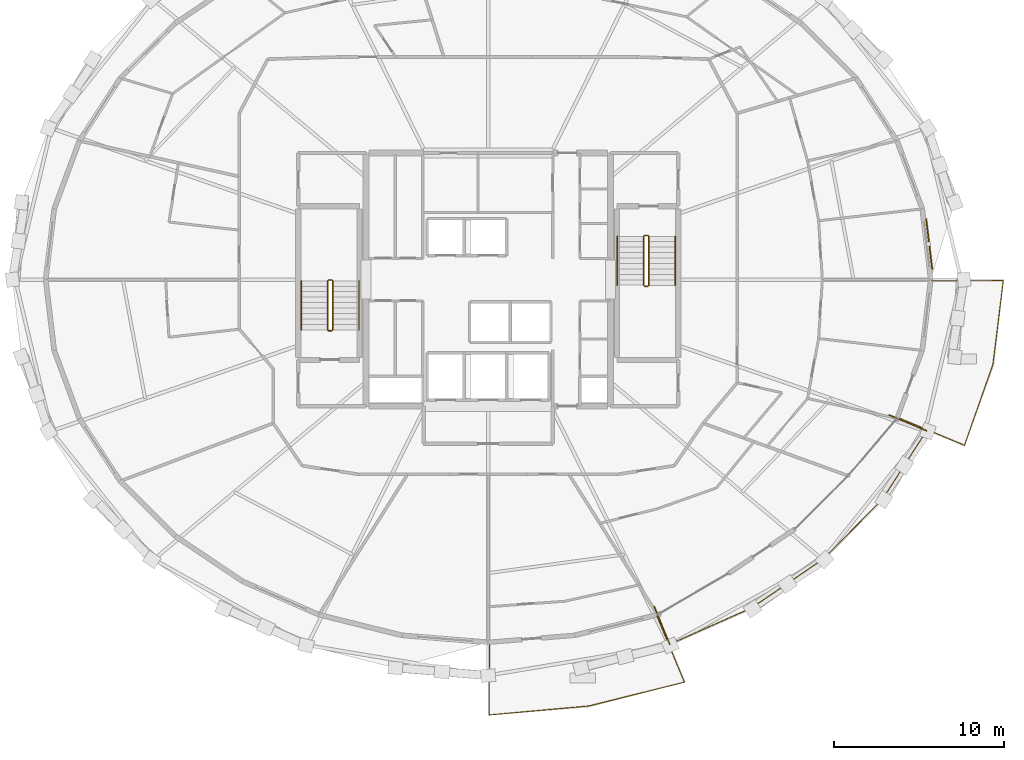
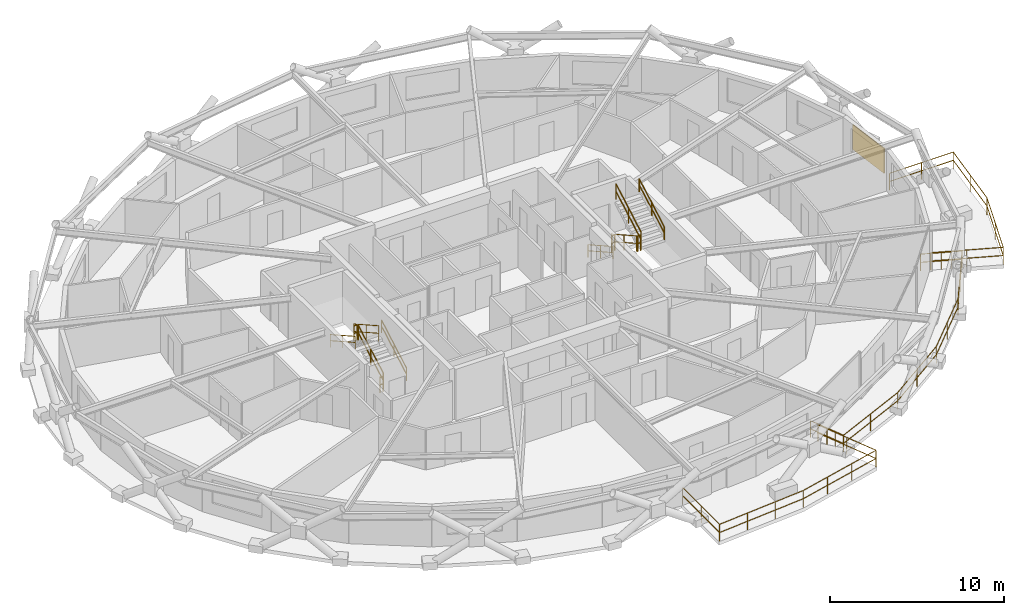
# One storey, part 16 of 16: 17 railings, 1 shading device.
"""IFC4 building model written with IfcOpenShell, lengths in metres."""

from ifc_helpers import new_model, si_unit, direction, frame, origin, origin_2d, place, context, subcontext, project, spatial, rectangle, circle, extrude, material, layer, layer_set, type_object, element, save


model = new_model("IFC4")

# Units and contexts
model_context = context("Model", 3, precision=1e-05, world=origin(), true_north=direction((0.0, 1.0)))
body_context = subcontext(model_context, "Body", "Model", "MODEL_VIEW")
ifc_project = project(units=[si_unit("LENGTHUNIT", "METRE"), si_unit("AREAUNIT", "SQUARE_METRE"), si_unit("VOLUMEUNIT", "CUBIC_METRE"), si_unit("PLANEANGLEUNIT", "RADIAN"), si_unit("MASSUNIT", "GRAM", prefix="KILO")], contexts=[model_context])

# Site, building, storey
site_placement = place(None, origin())
site = spatial("IfcSite", under=ifc_project, at=site_placement, CompositionType="ELEMENT")
building_placement = place(site_placement, origin())
building = spatial("IfcBuilding", under=site, at=building_placement, Name="Veldorina Hangang Commons", CompositionType="ELEMENT")
storey_placement = place(building_placement, frame((0.0, 0.0, 174.800048828125)))
storey = spatial("IfcBuildingStorey", under=building, at=storey_placement, Name="L45", CompositionType="ELEMENT", Elevation=174.800048828125)

# Railings
ifc_material_1 = material(Name="Glass Laminated Safety Balustrade", Category="glass")
railing_type_1 = type_object("IfcRailingType", Name="RL-BAL-LOGGIA", PredefinedType="BALUSTRADE", material=ifc_material_1)
railing_1_placement = place(storey_placement, frame((41.768798828125, 4.76611328125, 0.0)))
element("IfcRailing", 1, at=railing_1_placement, inside=storey, type_object=railing_type_1, Name="L45 sky-garden loggia end balustrade A", PredefinedType="BALUSTRADE", context=body_context, shape_type="SweptSolid", body=[
    extrude(circle(Radius=0.02392578125, at=origin_2d()), frame((0.0, 0.0, 1.17578125), z_axis=(0.379373307579, -0.925243694114, 0.0), x_axis=(0.925243694114, 0.379373307579, 0.0)), (0.0, 0.0, 1.0), 2.400390625),
    extrude(circle(Radius=0.02392578125, at=origin_2d()), frame((0.0, 0.0, 0.60009765625), z_axis=(0.379373307579, -0.925243694114, 0.0), x_axis=(0.925243694114, 0.379373307579, 0.0)), (0.0, 0.0, 1.0), 2.400390625),
    extrude(circle(Radius=0.02099609375, at=origin_2d()), origin(), (0.0, 0.0, 1.0), 1.15185546875),
    extrude(circle(Radius=0.02099609375, at=origin_2d()), frame((0.2275390625, -0.55517578125, 0.0)), (0.0, 0.0, 1.0), 1.15185546875),
    extrude(circle(Radius=0.02099609375, at=origin_2d()), frame((0.455322265625, -1.1103515625, 0.0)), (0.0, 0.0, 1.0), 1.15185546875),
    extrude(circle(Radius=0.02099609375, at=origin_2d()), frame((0.68310546875, -1.665771484375, 0.0)), (0.0, 0.0, 1.0), 1.15185546875),
    extrude(circle(Radius=0.02099609375, at=origin_2d()), frame((0.91064453125, -2.220947265625, 0.0)), (0.0, 0.0, 1.0), 1.15185546875),
])
railing_2_placement = place(storey_placement, frame((55.578369140625, 16.034912109375, 0.0)))
element("IfcRailing", 2, at=railing_2_placement, inside=storey, type_object=railing_type_1, Name="L45 sky-garden loggia end balustrade B", PredefinedType="BALUSTRADE", context=body_context, shape_type="SweptSolid", body=[
    extrude(circle(Radius=0.02392578125, at=origin_2d()), frame((0.0, 0.0, 1.17578125), z_axis=(0.922700298865, -0.385518039103, 0.0), x_axis=(0.385518039103, 0.922700298865, 0.0)), (0.0, 0.0, 1.0), 2.400146484375),
    extrude(circle(Radius=0.02392578125, at=origin_2d()), frame((0.0, 0.0, 0.60009765625), z_axis=(0.922700298865, -0.385518039103, 0.0), x_axis=(0.385518039103, 0.922700298865, 0.0)), (0.0, 0.0, 1.0), 2.400146484375),
    extrude(circle(Radius=0.02099609375, at=origin_2d()), origin(), (0.0, 0.0, 1.0), 1.15185546875),
    extrude(circle(Radius=0.02099609375, at=origin_2d()), frame((0.5537109375, -0.2314453125, 0.0)), (0.0, 0.0, 1.0), 1.15185546875),
    extrude(circle(Radius=0.02099609375, at=origin_2d()), frame((1.107421875, -0.462646484375, 0.0)), (0.0, 0.0, 1.0), 1.15185546875),
    extrude(circle(Radius=0.02099609375, at=origin_2d()), frame((1.660888671875, -0.69384765625, 0.0)), (0.0, 0.0, 1.0), 1.15185546875),
    extrude(circle(Radius=0.02099609375, at=origin_2d()), frame((2.214599609375, -0.92529296875, 0.0)), (0.0, 0.0, 1.0), 1.15185546875),
])
railing_3_placement = place(storey_placement, frame((42.679443359375, 2.545166015625, 0.0)))
element("IfcRailing", 3, at=railing_3_placement, inside=storey, type_object=railing_type_1, Name="L45 sky-garden loggia outer balustrade", PredefinedType="BALUSTRADE", context=body_context, shape_type="SweptSolid", body=[
    extrude(circle(Radius=0.02392578125, at=origin_2d()), frame((0.0, 0.0, 1.17578125), z_axis=(0.913883974047, 0.405975469679, 0.0), x_axis=(-0.405975469679, 0.913883974047, 0.0)), (0.0, 0.0, 1.0), 5.28125),
    extrude(circle(Radius=0.02392578125, at=origin_2d()), frame((0.0, 0.0, 0.60009765625), z_axis=(0.913883974047, 0.405975469679, 0.0), x_axis=(-0.405975469679, 0.913883974047, 0.0)), (0.0, 0.0, 1.0), 5.28125),
    extrude(circle(Radius=0.02392578125, at=origin_2d()), frame((4.826416015625, 2.14404296875, 1.17578125), z_axis=(0.826115399469, 0.563500973168, 0.0), x_axis=(-0.563500973168, 0.826115399469, 0.0)), (0.0, 0.0, 1.0), 5.122314453125),
    extrude(circle(Radius=0.02392578125, at=origin_2d()), frame((4.826416015625, 2.14404296875, 0.60009765625), z_axis=(0.826115399469, 0.563500973168, 0.0), x_axis=(-0.563500973168, 0.826115399469, 0.0)), (0.0, 0.0, 1.0), 5.122314453125),
    extrude(circle(Radius=0.02392578125, at=origin_2d()), frame((9.05810546875, 5.030517578125, 1.17578125), z_axis=(0.702574104972, 0.711610586643, 0.0), x_axis=(-0.711610586643, 0.702574104972, 0.0)), (0.0, 0.0, 1.0), 4.944091796875),
    extrude(circle(Radius=0.02392578125, at=origin_2d()), frame((9.05810546875, 5.030517578125, 0.60009765625), z_axis=(0.702574104972, 0.711610586643, 0.0), x_axis=(-0.711610586643, 0.702574104972, 0.0)), (0.0, 0.0, 1.0), 4.944091796875),
    extrude(circle(Radius=0.02392578125, at=origin_2d()), frame((12.53173828125, 8.548828125, 1.17578125), z_axis=(0.540804114844, 0.841148565575, 0.0), x_axis=(-0.841148565575, 0.540804114844, 0.0)), (0.0, 0.0, 1.0), 4.77392578125),
    extrude(circle(Radius=0.02392578125, at=origin_2d()), frame((12.53173828125, 8.548828125, 0.60009765625), z_axis=(0.540804114844, 0.841148565575, 0.0), x_axis=(-0.841148565575, 0.540804114844, 0.0)), (0.0, 0.0, 1.0), 4.77392578125),
    extrude(circle(Radius=0.02099609375, at=origin_2d()), origin(), (0.0, 0.0, 1.0), 1.15185546875),
    extrude(circle(Radius=0.02099609375, at=origin_2d()), frame((2.4130859375, 1.072021484375, 0.0)), (0.0, 0.0, 1.0), 1.15185546875),
    extrude(circle(Radius=0.02099609375, at=origin_2d()), frame((4.826416015625, 2.14404296875, 0.0)), (0.0, 0.0, 1.0), 1.15185546875),
    extrude(circle(Radius=0.02099609375, at=origin_2d()), frame((6.9423828125, 3.58740234375, 0.0)), (0.0, 0.0, 1.0), 1.15185546875),
    extrude(circle(Radius=0.02099609375, at=origin_2d()), frame((9.05810546875, 5.030517578125, 0.0)), (0.0, 0.0, 1.0), 1.15185546875),
    extrude(circle(Radius=0.02099609375, at=origin_2d()), frame((10.794921875, 6.78955078125, 0.0)), (0.0, 0.0, 1.0), 1.15185546875),
    extrude(circle(Radius=0.02099609375, at=origin_2d()), frame((12.53173828125, 8.548828125, 0.0)), (0.0, 0.0, 1.0), 1.15185546875),
    extrude(circle(Radius=0.02099609375, at=origin_2d()), frame((13.82275390625, 10.556640625, 0.0)), (0.0, 0.0, 1.0), 1.15185546875),
    extrude(circle(Radius=0.02099609375, at=origin_2d()), frame((15.113525390625, 12.564453125, 0.0)), (0.0, 0.0, 1.0), 1.15185546875),
])
railing_4_placement = place(storey_placement, frame((32.06787109375, 2.62255859375, 0.0)))
element("IfcRailing", 4, at=railing_4_placement, inside=storey, type_object=railing_type_1, Name="L45 planted tree balcony 1 balustrade", PredefinedType="BALUSTRADE", context=body_context, shape_type="SweptSolid", body=[
    extrude(circle(Radius=0.02392578125, at=origin_2d()), frame((0.0, 0.0, 1.17578125), z_axis=(-0.001439593118, -0.999998963785, 0.0), x_axis=(0.999998963785, -0.001439593118, 0.0)), (0.0, 0.0, 1.0), 4.23974609375),
    extrude(circle(Radius=0.02392578125, at=origin_2d()), frame((0.0, 0.0, 0.60009765625), z_axis=(-0.001439593118, -0.999998963785, 0.0), x_axis=(0.999998963785, -0.001439593118, 0.0)), (0.0, 0.0, 1.0), 4.23974609375),
    extrude(circle(Radius=0.02392578125, at=origin_2d()), frame((-0.006103515625, -4.23974609375, 1.17578125), z_axis=(0.995932663366, 0.090100666145, 0.0), x_axis=(-0.090100666145, 0.995932663366, 0.0)), (0.0, 0.0, 1.0), 5.869140625),
    extrude(circle(Radius=0.02392578125, at=origin_2d()), frame((-0.006103515625, -4.23974609375, 0.60009765625), z_axis=(0.995932663366, 0.090100666145, 0.0), x_axis=(-0.090100666145, 0.995932663366, 0.0)), (0.0, 0.0, 1.0), 5.869140625),
    extrude(circle(Radius=0.02392578125, at=origin_2d()), frame((5.839111328125, -3.7109375, 1.17578125), z_axis=(0.97047283334, 0.241210447015, 0.0), x_axis=(-0.241210447015, 0.97047283334, 0.0)), (0.0, 0.0, 1.0), 5.809814453125),
    extrude(circle(Radius=0.02392578125, at=origin_2d()), frame((5.839111328125, -3.7109375, 0.60009765625), z_axis=(0.97047283334, 0.241210447015, 0.0), x_axis=(-0.241210447015, 0.97047283334, 0.0)), (0.0, 0.0, 1.0), 5.809814453125),
    extrude(circle(Radius=0.02392578125, at=origin_2d()), frame((11.477294921875, -2.3095703125, 1.17578125), z_axis=(-0.384615384615, 0.923076923077, 0.0), x_axis=(-0.923076923077, -0.384615384615, 0.0)), (0.0, 0.0, 1.0), 4.240234375),
    extrude(circle(Radius=0.02392578125, at=origin_2d()), frame((11.477294921875, -2.3095703125, 0.60009765625), z_axis=(-0.384615384615, 0.923076923077, 0.0), x_axis=(-0.923076923077, -0.384615384615, 0.0)), (0.0, 0.0, 1.0), 4.240234375),
    extrude(circle(Radius=0.02099609375, at=origin_2d()), origin(), (0.0, 0.0, 1.0), 1.15185546875),
    extrude(circle(Radius=0.02099609375, at=origin_2d()), frame((-0.0029296875, -2.119873046875, 0.0)), (0.0, 0.0, 1.0), 1.15185546875),
    extrude(circle(Radius=0.02099609375, at=origin_2d()), frame((-0.006103515625, -4.23974609375, 0.0)), (0.0, 0.0, 1.0), 1.15185546875),
    extrude(circle(Radius=0.02099609375, at=origin_2d()), frame((1.9423828125, -4.0634765625, 0.0)), (0.0, 0.0, 1.0), 1.15185546875),
    extrude(circle(Radius=0.02099609375, at=origin_2d()), frame((3.890625, -3.88720703125, 0.0)), (0.0, 0.0, 1.0), 1.15185546875),
    extrude(circle(Radius=0.02099609375, at=origin_2d()), frame((5.839111328125, -3.7109375, 0.0)), (0.0, 0.0, 1.0), 1.15185546875),
    extrude(circle(Radius=0.02099609375, at=origin_2d()), frame((7.718505859375, -3.243896484375, 0.0)), (0.0, 0.0, 1.0), 1.15185546875),
    extrude(circle(Radius=0.02099609375, at=origin_2d()), frame((9.597900390625, -2.776611328125, 0.0)), (0.0, 0.0, 1.0), 1.15185546875),
    extrude(circle(Radius=0.02099609375, at=origin_2d()), frame((11.477294921875, -2.3095703125, 0.0)), (0.0, 0.0, 1.0), 1.15185546875),
    extrude(circle(Radius=0.02099609375, at=origin_2d()), frame((10.661865234375, -0.3525390625, 0.0)), (0.0, 0.0, 1.0), 1.15185546875),
    extrude(circle(Radius=0.02099609375, at=origin_2d()), frame((9.846435546875, 1.6044921875, 0.0)), (0.0, 0.0, 1.0), 1.15185546875),
])
railing_5_placement = place(storey_placement, frame((56.122802734375, 15.87841796875, 0.0)))
element("IfcRailing", 5, at=railing_5_placement, inside=storey, type_object=railing_type_1, Name="L45 planted tree balcony 2 balustrade", PredefinedType="BALUSTRADE", context=body_context, shape_type="SweptSolid", body=[
    extrude(circle(Radius=0.02392578125, at=origin_2d()), frame((0.0, 0.0, 1.17578125), z_axis=(0.923329347093, -0.384009006139, 0.0), x_axis=(0.384009006139, 0.923329347093, 0.0)), (0.0, 0.0, 1.0), 4.231689453125),
    extrude(circle(Radius=0.02392578125, at=origin_2d()), frame((0.0, 0.0, 0.60009765625), z_axis=(0.923329347093, -0.384009006139, 0.0), x_axis=(0.384009006139, 0.923329347093, 0.0)), (0.0, 0.0, 1.0), 4.231689453125),
    extrude(circle(Radius=0.02392578125, at=origin_2d()), frame((3.9072265625, -1.625, 1.17578125), z_axis=(0.330954531227, 0.943646702034, 0.0), x_axis=(-0.943646702034, 0.330954531227, 0.0)), (0.0, 0.0, 1.0), 5.039794921875),
    extrude(circle(Radius=0.02392578125, at=origin_2d()), frame((3.9072265625, -1.625, 0.60009765625), z_axis=(0.330954531227, 0.943646702034, 0.0), x_axis=(-0.943646702034, 0.330954531227, 0.0)), (0.0, 0.0, 1.0), 5.039794921875),
    extrude(circle(Radius=0.02392578125, at=origin_2d()), frame((5.5751953125, 3.130859375, 1.17578125), z_axis=(0.123333460158, 0.992365284361, 0.0), x_axis=(-0.992365284361, 0.123333460158, 0.0)), (0.0, 0.0, 1.0), 4.970458984375),
    extrude(circle(Radius=0.02392578125, at=origin_2d()), frame((5.5751953125, 3.130859375, 0.60009765625), z_axis=(0.123333460158, 0.992365284361, 0.0), x_axis=(-0.992365284361, 0.123333460158, 0.0)), (0.0, 0.0, 1.0), 4.970458984375),
    extrude(circle(Radius=0.02392578125, at=origin_2d()), frame((6.188232421875, 8.0634765625, 1.17578125), z_axis=(-0.999997597641, -0.0021919652, 0.0), x_axis=(0.0021919652, -0.999997597641, 0.0)), (0.0, 0.0, 1.0), 4.232421875),
    extrude(circle(Radius=0.02392578125, at=origin_2d()), frame((6.188232421875, 8.0634765625, 0.60009765625), z_axis=(-0.999997597641, -0.0021919652, 0.0), x_axis=(0.0021919652, -0.999997597641, 0.0)), (0.0, 0.0, 1.0), 4.232421875),
    extrude(circle(Radius=0.02099609375, at=origin_2d()), origin(), (0.0, 0.0, 1.0), 1.15185546875),
    extrude(circle(Radius=0.02099609375, at=origin_2d()), frame((1.95361328125, -0.8125, 0.0)), (0.0, 0.0, 1.0), 1.15185546875),
    extrude(circle(Radius=0.02099609375, at=origin_2d()), frame((3.9072265625, -1.625, 0.0)), (0.0, 0.0, 1.0), 1.15185546875),
    extrude(circle(Radius=0.02099609375, at=origin_2d()), frame((4.7412109375, 0.7529296875, 0.0)), (0.0, 0.0, 1.0), 1.15185546875),
    extrude(circle(Radius=0.02099609375, at=origin_2d()), frame((5.5751953125, 3.130859375, 0.0)), (0.0, 0.0, 1.0), 1.15185546875),
    extrude(circle(Radius=0.02099609375, at=origin_2d()), frame((5.8818359375, 5.59716796875, 0.0)), (0.0, 0.0, 1.0), 1.15185546875),
    extrude(circle(Radius=0.02099609375, at=origin_2d()), frame((6.188232421875, 8.0634765625, 0.0)), (0.0, 0.0, 1.0), 1.15185546875),
    extrude(circle(Radius=0.02099609375, at=origin_2d()), frame((4.072021484375, 8.058837890625, 0.0)), (0.0, 0.0, 1.0), 1.15185546875),
    extrude(circle(Radius=0.02099609375, at=origin_2d()), frame((1.955810546875, 8.05419921875, 0.0)), (0.0, 0.0, 1.0), 1.15185546875),
])
ifc_material_2 = material(Name="Steel Painted Balustrade", Category="steel")
railing_type_2 = type_object("IfcRailingType", Name="RL-GRD-STAIR", PredefinedType="GUARDRAIL", material=ifc_material_2)
railing_6_placement = place(storey_placement, frame((22.85009765625, 21.050048828125, 0.179931640625)))
element("IfcRailing", 6, at=railing_6_placement, inside=storey, type_object=railing_type_2, Name="L45 ST-1 stair guard 1", PredefinedType="GUARDRAIL", context=body_context, shape_type="SweptSolid", body=[
    extrude(circle(Radius=0.02392578125, at=origin_2d()), frame((0.0, 0.0, 1.076171875), z_axis=(0.0, 0.87155185771, 0.490303333991), x_axis=(-1.0, 0.0, 0.0)), (0.0, 0.0, 1.0), 3.30419921875),
    extrude(circle(Radius=0.02392578125, at=origin_2d()), frame((0.0, 0.0, 0.550048828125), z_axis=(0.0, 0.87155185771, 0.490303333991), x_axis=(-1.0, 0.0, 0.0)), (0.0, 0.0, 1.0), 3.30419921875),
    extrude(circle(Radius=0.02099609375, at=origin_2d()), origin(), (0.0, 0.0, 1.0), 1.052001953125),
    extrude(circle(Radius=0.02099609375, at=origin_2d()), frame((0.0, 1.43994140625, 0.81005859375)), (0.0, 0.0, 1.0), 1.052001953125),
    extrude(circle(Radius=0.02099609375, at=origin_2d()), frame((0.0, 2.8798828125, 1.6201171875)), (0.0, 0.0, 1.0), 1.052001953125),
])
railing_7_placement = place(storey_placement, frame((22.800048828125, 23.97998046875, 1.800048828125)))
element("IfcRailing", 7, at=railing_7_placement, inside=storey, type_object=railing_type_2, Name="L45 ST-1 stair guard 2", PredefinedType="GUARDRAIL", context=body_context, shape_type="SweptSolid", body=[
    extrude(circle(Radius=0.02392578125, at=origin_2d()), frame((0.0, 0.0, 1.076171875), z_axis=(-1.0, 0.0, 0.0), x_axis=(0.0, -1.0, 0.0)), (0.0, 0.0, 1.0), 0.199951171875),
    extrude(circle(Radius=0.02392578125, at=origin_2d()), frame((0.0, 0.0, 0.550048828125), z_axis=(-1.0, 0.0, 0.0), x_axis=(0.0, -1.0, 0.0)), (0.0, 0.0, 1.0), 0.199951171875),
    extrude(circle(Radius=0.02099609375, at=origin_2d()), origin(), (0.0, 0.0, 1.0), 1.052001953125),
    extrude(circle(Radius=0.02099609375, at=origin_2d()), frame((-0.199951171875, 0.0, 0.0)), (0.0, 0.0, 1.0), 1.052001953125),
])
railing_8_placement = place(storey_placement, frame((22.550048828125, 23.929931640625, 1.97998046875)))
element("IfcRailing", 8, at=railing_8_placement, inside=storey, type_object=railing_type_2, Name="L45 ST-1 stair guard 3", PredefinedType="GUARDRAIL", context=body_context, shape_type="SweptSolid", body=[
    extrude(circle(Radius=0.02392578125, at=origin_2d()), frame((0.0, 0.0, 1.076171875), z_axis=(0.0, -0.871583430097, 0.490247207417), x_axis=(1.0, 0.0, 0.0)), (0.0, 0.0, 1.0), 3.30419921875),
    extrude(circle(Radius=0.02392578125, at=origin_2d()), frame((0.0, 0.0, 0.550048828125), z_axis=(0.0, -0.871583430097, 0.490247207417), x_axis=(1.0, 0.0, 0.0)), (0.0, 0.0, 1.0), 3.30419921875),
    extrude(circle(Radius=0.02099609375, at=origin_2d()), origin(), (0.0, 0.0, 1.0), 1.052001953125),
    extrude(circle(Radius=0.02099609375, at=origin_2d()), frame((0.0, -1.43994140625, 0.81005859375)), (0.0, 0.0, 1.0), 1.052001953125),
    extrude(circle(Radius=0.02099609375, at=origin_2d()), frame((0.0, -2.8798828125, 1.619873046875)), (0.0, 0.0, 1.0), 1.052001953125),
])
railing_9_placement = place(storey_placement, frame((22.800048828125, 21.0, 0.0)))
element("IfcRailing", 9, at=railing_9_placement, inside=storey, type_object=railing_type_2, Name="L45 ST-1 stair guard 4", PredefinedType="GUARDRAIL", context=body_context, shape_type="SweptSolid", body=[
    extrude(circle(Radius=0.02392578125, at=origin_2d()), frame((0.0, 0.0, 1.076171875), z_axis=(-1.0, 0.0, 0.0), x_axis=(0.0, -1.0, 0.0)), (0.0, 0.0, 1.0), 0.199951171875),
    extrude(circle(Radius=0.02392578125, at=origin_2d()), frame((0.0, 0.0, 0.550048828125), z_axis=(-1.0, 0.0, 0.0), x_axis=(0.0, -1.0, 0.0)), (0.0, 0.0, 1.0), 0.199951171875),
    extrude(circle(Radius=0.02099609375, at=origin_2d()), origin(), (0.0, 0.0, 1.0), 1.052001953125),
    extrude(circle(Radius=0.02099609375, at=origin_2d()), frame((-0.199951171875, 0.0, 0.0)), (0.0, 0.0, 1.0), 1.052001953125),
])
railing_10_placement = place(storey_placement, frame((41.14990234375, 26.550048828125, 0.179931640625)))
element("IfcRailing", 10, at=railing_10_placement, inside=storey, type_object=railing_type_2, Name="L45 ST-2 stair guard 1", PredefinedType="GUARDRAIL", context=body_context, shape_type="SweptSolid", body=[
    extrude(circle(Radius=0.02392578125, at=origin_2d()), frame((0.0, 0.0, 1.076171875), z_axis=(0.0, -0.871569617843, 0.490271762652), x_axis=(1.0, 0.0, 0.0)), (0.0, 0.0, 1.0), 3.304443359375),
    extrude(circle(Radius=0.02392578125, at=origin_2d()), frame((0.0, 0.0, 0.550048828125), z_axis=(0.0, -0.871569617843, 0.490271762652), x_axis=(1.0, 0.0, 0.0)), (0.0, 0.0, 1.0), 3.304443359375),
    extrude(circle(Radius=0.02099609375, at=origin_2d()), origin(), (0.0, 0.0, 1.0), 1.052001953125),
    extrude(circle(Radius=0.02099609375, at=origin_2d()), frame((0.0, -1.43994140625, 0.81005859375)), (0.0, 0.0, 1.0), 1.052001953125),
    extrude(circle(Radius=0.02099609375, at=origin_2d()), frame((0.0, -2.880126953125, 1.6201171875)), (0.0, 0.0, 1.0), 1.052001953125),
])
railing_11_placement = place(storey_placement, frame((41.199951171875, 23.6201171875, 1.800048828125)))
element("IfcRailing", 11, at=railing_11_placement, inside=storey, type_object=railing_type_2, Name="L45 ST-2 stair guard 2", PredefinedType="GUARDRAIL", context=body_context, shape_type="SweptSolid", body=[
    extrude(circle(Radius=0.02392578125, at=origin_2d()), frame((0.0, 0.0, 1.076171875), z_axis=(1.0, 0.0, 0.0), x_axis=(0.0, 1.0, 0.0)), (0.0, 0.0, 1.0), 0.199951171875),
    extrude(circle(Radius=0.02392578125, at=origin_2d()), frame((0.0, 0.0, 0.550048828125), z_axis=(1.0, 0.0, 0.0), x_axis=(0.0, 1.0, 0.0)), (0.0, 0.0, 1.0), 0.199951171875),
    extrude(circle(Radius=0.02099609375, at=origin_2d()), origin(), (0.0, 0.0, 1.0), 1.052001953125),
    extrude(circle(Radius=0.02099609375, at=origin_2d()), frame((0.199951171875, 0.0, 0.0)), (0.0, 0.0, 1.0), 1.052001953125),
])
railing_12_placement = place(storey_placement, frame((41.449951171875, 23.669921875, 1.97998046875)))
element("IfcRailing", 12, at=railing_12_placement, inside=storey, type_object=railing_type_2, Name="L45 ST-2 stair guard 3", PredefinedType="GUARDRAIL", context=body_context, shape_type="SweptSolid", body=[
    extrude(circle(Radius=0.02392578125, at=origin_2d()), frame((0.0, 0.0, 1.076171875), z_axis=(0.0, 0.871601186807, 0.490215637405), x_axis=(-1.0, 0.0, 0.0)), (0.0, 0.0, 1.0), 3.304443359375),
    extrude(circle(Radius=0.02392578125, at=origin_2d()), frame((0.0, 0.0, 0.550048828125), z_axis=(0.0, 0.871601186807, 0.490215637405), x_axis=(-1.0, 0.0, 0.0)), (0.0, 0.0, 1.0), 3.304443359375),
    extrude(circle(Radius=0.02099609375, at=origin_2d()), origin(), (0.0, 0.0, 1.0), 1.052001953125),
    extrude(circle(Radius=0.02099609375, at=origin_2d()), frame((0.0, 1.43994140625, 0.81005859375)), (0.0, 0.0, 1.0), 1.052001953125),
    extrude(circle(Radius=0.02099609375, at=origin_2d()), frame((0.0, 2.880126953125, 1.619873046875)), (0.0, 0.0, 1.0), 1.052001953125),
])
railing_13_placement = place(storey_placement, frame((41.199951171875, 26.60009765625, 0.0)))
element("IfcRailing", 13, at=railing_13_placement, inside=storey, type_object=railing_type_2, Name="L45 ST-2 stair guard 4", PredefinedType="GUARDRAIL", context=body_context, shape_type="SweptSolid", body=[
    extrude(circle(Radius=0.02392578125, at=origin_2d()), frame((0.0, 0.0, 1.076171875), z_axis=(1.0, 0.0, 0.0), x_axis=(0.0, 1.0, 0.0)), (0.0, 0.0, 1.0), 0.199951171875),
    extrude(circle(Radius=0.02392578125, at=origin_2d()), frame((0.0, 0.0, 0.550048828125), z_axis=(1.0, 0.0, 0.0), x_axis=(0.0, 1.0, 0.0)), (0.0, 0.0, 1.0), 0.199951171875),
    extrude(circle(Radius=0.02099609375, at=origin_2d()), origin(), (0.0, 0.0, 1.0), 1.052001953125),
    extrude(circle(Radius=0.02099609375, at=origin_2d()), frame((0.199951171875, 0.0, 0.0)), (0.0, 0.0, 1.0), 1.052001953125),
])
ifc_material_3 = material(Name="Stainless Steel Brushed 316", Category="steel")
railing_type_3 = type_object("IfcRailingType", Name="RL-HND-STAIR", PredefinedType="HANDRAIL", material=ifc_material_3)
railing_14_placement = place(storey_placement, frame((24.39990234375, 21.050048828125, 0.179931640625)))
element("IfcRailing", 14, at=railing_14_placement, inside=storey, type_object=railing_type_3, Name="L45 ST-1 stair handrail 1", PredefinedType="HANDRAIL", context=body_context, shape_type="SweptSolid", body=[
    extrude(circle(Radius=0.02392578125, at=origin_2d()), frame((0.0, 0.0, 0.8759765625), z_axis=(0.0, 0.87155185771, 0.490303333991), x_axis=(-1.0, 0.0, 0.0)), (0.0, 0.0, 1.0), 3.30419921875),
    extrude(circle(Radius=0.02392578125, at=origin_2d()), frame((0.0, 0.0, 0.449951171875), z_axis=(0.0, 0.87155185771, 0.490303333991), x_axis=(-1.0, 0.0, 0.0)), (0.0, 0.0, 1.0), 3.30419921875),
    extrude(circle(Radius=0.02099609375, at=origin_2d()), origin(), (0.0, 0.0, 1.0), 0.851806640625),
    extrude(circle(Radius=0.02099609375, at=origin_2d()), frame((0.0, 1.43994140625, 0.81005859375)), (0.0, 0.0, 1.0), 0.851806640625),
    extrude(circle(Radius=0.02099609375, at=origin_2d()), frame((0.0, 2.8798828125, 1.6201171875)), (0.0, 0.0, 1.0), 0.851806640625),
])
railing_15_placement = place(storey_placement, frame((21.0, 23.929931640625, 1.97998046875)))
element("IfcRailing", 15, at=railing_15_placement, inside=storey, type_object=railing_type_3, Name="L45 ST-1 stair handrail 2", PredefinedType="HANDRAIL", context=body_context, shape_type="SweptSolid", body=[
    extrude(circle(Radius=0.02392578125, at=origin_2d()), frame((0.0, 0.0, 0.8759765625), z_axis=(0.0, -0.871583430097, 0.490247207417), x_axis=(1.0, 0.0, 0.0)), (0.0, 0.0, 1.0), 3.30419921875),
    extrude(circle(Radius=0.02392578125, at=origin_2d()), frame((0.0, 0.0, 0.449951171875), z_axis=(0.0, -0.871583430097, 0.490247207417), x_axis=(1.0, 0.0, 0.0)), (0.0, 0.0, 1.0), 3.30419921875),
    extrude(circle(Radius=0.02099609375, at=origin_2d()), origin(), (0.0, 0.0, 1.0), 0.851806640625),
    extrude(circle(Radius=0.02099609375, at=origin_2d()), frame((0.0, -1.43994140625, 0.81005859375)), (0.0, 0.0, 1.0), 0.851806640625),
    extrude(circle(Radius=0.02099609375, at=origin_2d()), frame((0.0, -2.8798828125, 1.619873046875)), (0.0, 0.0, 1.0), 0.851806640625),
])
railing_16_placement = place(storey_placement, frame((39.60009765625, 26.550048828125, 0.179931640625)))
element("IfcRailing", 16, at=railing_16_placement, inside=storey, type_object=railing_type_3, Name="L45 ST-2 stair handrail 1", PredefinedType="HANDRAIL", context=body_context, shape_type="SweptSolid", body=[
    extrude(circle(Radius=0.02392578125, at=origin_2d()), frame((0.0, 0.0, 0.8759765625), z_axis=(0.0, -0.871569617843, 0.490271762652), x_axis=(1.0, 0.0, 0.0)), (0.0, 0.0, 1.0), 3.304443359375),
    extrude(circle(Radius=0.02392578125, at=origin_2d()), frame((0.0, 0.0, 0.449951171875), z_axis=(0.0, -0.871569617843, 0.490271762652), x_axis=(1.0, 0.0, 0.0)), (0.0, 0.0, 1.0), 3.304443359375),
    extrude(circle(Radius=0.02099609375, at=origin_2d()), origin(), (0.0, 0.0, 1.0), 0.851806640625),
    extrude(circle(Radius=0.02099609375, at=origin_2d()), frame((0.0, -1.43994140625, 0.81005859375)), (0.0, 0.0, 1.0), 0.851806640625),
    extrude(circle(Radius=0.02099609375, at=origin_2d()), frame((0.0, -2.880126953125, 1.6201171875)), (0.0, 0.0, 1.0), 0.851806640625),
])
railing_17_placement = place(storey_placement, frame((43.0, 23.669921875, 1.97998046875)))
element("IfcRailing", 17, at=railing_17_placement, inside=storey, type_object=railing_type_3, Name="L45 ST-2 stair handrail 2", PredefinedType="HANDRAIL", context=body_context, shape_type="SweptSolid", body=[
    extrude(circle(Radius=0.02392578125, at=origin_2d()), frame((0.0, 0.0, 0.8759765625), z_axis=(0.0, 0.871601186807, 0.490215637405), x_axis=(-1.0, 0.0, 0.0)), (0.0, 0.0, 1.0), 3.304443359375),
    extrude(circle(Radius=0.02392578125, at=origin_2d()), frame((0.0, 0.0, 0.449951171875), z_axis=(0.0, 0.871601186807, 0.490215637405), x_axis=(-1.0, 0.0, 0.0)), (0.0, 0.0, 1.0), 3.304443359375),
    extrude(circle(Radius=0.02099609375, at=origin_2d()), origin(), (0.0, 0.0, 1.0), 0.851806640625),
    extrude(circle(Radius=0.02099609375, at=origin_2d()), frame((0.0, 1.43994140625, 0.81005859375)), (0.0, 0.0, 1.0), 0.851806640625),
    extrude(circle(Radius=0.02099609375, at=origin_2d()), frame((0.0, 2.880126953125, 1.619873046875)), (0.0, 0.0, 1.0), 0.851806640625),
])

# Shading device
ifc_material_4 = material(Name="Ceramic Glazed Terracotta", Category="masonry")
ifc_layer = layer(ifc_material_4, 0.06005859375)
ifc_layer_set = layer_set([ifc_layer], Name="Ceramic Glazed Terracotta")
shading_device_type = type_object("IfcShadingDeviceType", Name="SCR-CER-3000", PredefinedType="USERDEFINED", material=ifc_layer_set)
shading_device_placement = place(storey_placement, frame((57.94873046875, 26.1005859375, 0.75), z_axis=(0.0, 0.0, 1.0), x_axis=(-0.119339763525, 0.992853474004, 0.0)))
element("IfcShadingDevice", 18, at=shading_device_placement, inside=storey, type_object=shading_device_type, Name="L45 PERFORATED CERAMIC SOLAR SCREEN 00", ObjectType="SCREEN", PredefinedType="USERDEFINED", context=body_context, shape_type="SweptSolid", body=[
    extrude(rectangle(XDim=3.0, YDim=0.06005859375, at=origin_2d()), origin(), (0.0, 0.0, 1.0), 1.75),
])

save(model, "model.ifc")
